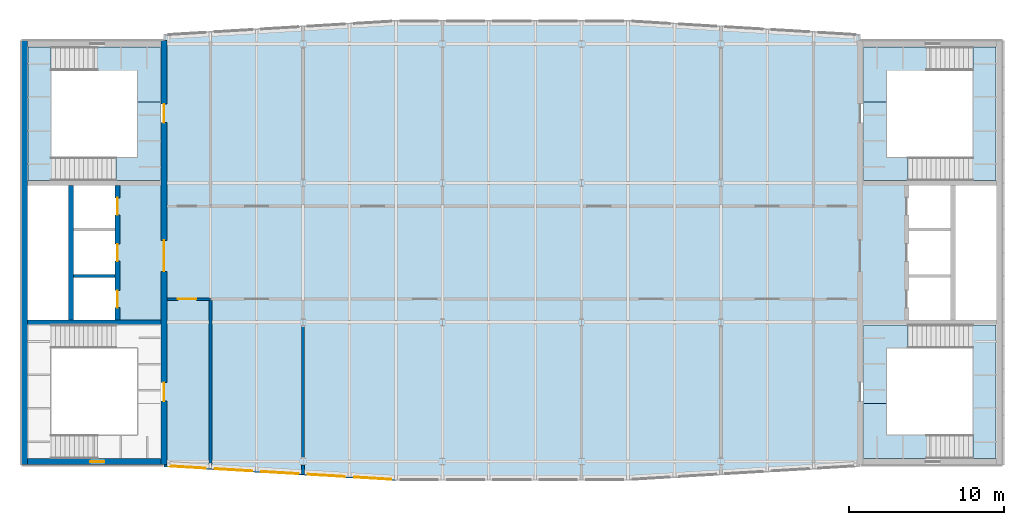
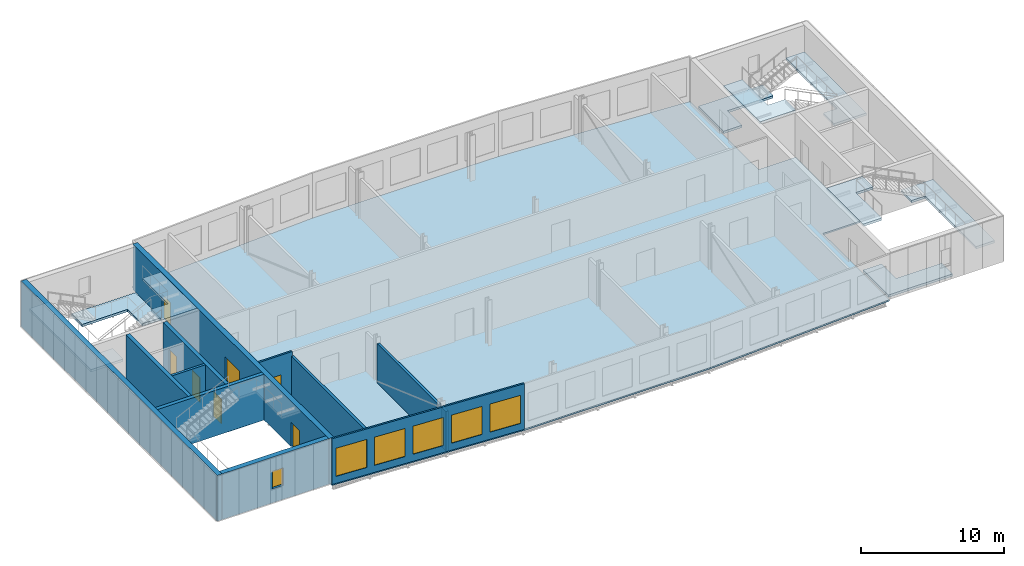
# One storey, part 3 of 9: 12 walls, 10 slabs, 7 doors, 6 windows, 13 openings, 3 elements without a shape of their own.
"""IFC4 building model written with IfcOpenShell, lengths in metres."""

from ifc_helpers import new_model, si_unit, direction, frame, frame_2d, origin, place, context, subcontext, project, spatial, polyline, rectangle, outline, extrude, material, layer, layer_set, type_object, element, fill, aggregate, save


model = new_model("IFC4")

# Units and contexts
model_context = context("Model", 3, precision=1e-05, world=origin(), true_north=direction((0.0, 1.0)))
body_context = subcontext(model_context, "Body", "Model", "MODEL_VIEW")
ifc_project = project(units=[si_unit("LENGTHUNIT", "METRE"), si_unit("AREAUNIT", "SQUARE_METRE"), si_unit("VOLUMEUNIT", "CUBIC_METRE"), si_unit("PLANEANGLEUNIT", "RADIAN"), si_unit("MASSUNIT", "GRAM", prefix="KILO")], contexts=[model_context])

# Site, building, storey
site_placement = place(None, origin())
site = spatial("IfcSite", under=ifc_project, at=site_placement, CompositionType="ELEMENT")
building_placement = place(site_placement, origin())
building = spatial("IfcBuilding", under=site, at=building_placement, Name="Azimuth Sports and Learning Centre", CompositionType="ELEMENT")
storey_placement = place(building_placement, frame((0.0, 0.0, 51.89990234375)))
storey = spatial("IfcBuildingStorey", under=building, at=storey_placement, Name="L11", CompositionType="ELEMENT", Elevation=51.89990234375)

# Slab
ifc_material_1 = material(Name="Concrete C30/37", Category="concrete")
ifc_layer_1 = layer(ifc_material_1, 0.1298828125)
ifc_layer_set_1 = layer_set([ifc_layer_1], Name="Concrete C30/37")
slab_type_1 = type_object("IfcSlabType", Name="Composite floor slab 130", PredefinedType="FLOOR", material=ifc_layer_set_1)
slab_1_placement = place(storey_placement, frame((0.0, 0.0, -0.1298828125)))
element("IfcSlab", 1, at=slab_1_placement, inside=storey, type_object=slab_type_1, Name="Slab TOWER L11", PredefinedType="FLOOR", context=body_context, shape_type="SweptSolid", body=[
    extrude(outline(polyline([(78.0, 88.800048828125), (93.0, 88.800048828125), (108.0, 89.699951171875), (108.0, 99.0), (111.0, 99.0), (111.0, 108.0), (108.0, 108.0), (108.0, 117.60009765625), (93.0, 118.5), (78.0, 118.5), (63.0, 117.60009765625), (63.0, 108.0), (60.0, 108.0), (60.0, 99.0), (63.0, 99.0), (63.0, 89.699951171875), (78.0, 88.800048828125)])), origin(), (0.0, 0.0, 1.0), 0.1298828125),
])

# Stair, slabs
ifc_material_2 = material(Name="Concrete C32/40", Category="concrete")
stair_type = type_object("IfcStairType", Name="Square-well stair core 3900 storey", PredefinedType="THREE_QUARTER_TURN_STAIR", material=ifc_material_2)
stair_1_placement = place(storey_placement, origin())
stair_1 = element("IfcStair", 2, at=stair_1_placement, inside=storey, type_object=stair_type, Name="Stair W2 L11-L12", PredefinedType="THREE_QUARTER_TURN_STAIR")
ifc_material_3 = material(Name="Concrete C32/40", Category="concrete")
ifc_layer_2 = layer(ifc_material_3, 0.199951171875)
ifc_layer_set_2 = layer_set([ifc_layer_2], Name="Concrete C32/40")
slab_type_2 = type_object("IfcSlabType", Name="Concrete stair landing", PredefinedType="LANDING", material=ifc_layer_set_2)
slab_2_placement = place(storey_placement, frame((0.0, 0.0, -0.199951171875)))
slab_2 = element("IfcSlab", 3, at=slab_2_placement, type_object=slab_type_2, Name="Stair W2 L11 landing 1", PredefinedType="LANDING", context=body_context, shape_type="SweptSolid", body=[
    extrude(outline(polyline([(57.610107421875, 115.2900390625), (61.2900390625, 115.2900390625), (61.2900390625, 113.25), (62.7900390625, 113.25), (62.7900390625, 116.7900390625), (57.610107421875, 116.7900390625), (57.610107421875, 115.2900390625)])), origin(), (0.0, 0.0, 1.0), 0.199951171875),
])
slab_3_placement = place(storey_placement, frame((0.0, 0.0, 1.4501953125)))
slab_3 = element("IfcSlab", 4, at=slab_3_placement, type_object=slab_type_2, Name="Stair W2 L11 landing 2", PredefinedType="LANDING", context=body_context, shape_type="SweptSolid", body=[
    extrude(outline(polyline([(55.7099609375, 115.2900390625), (55.710693359375, 115.2900390625), (55.710693359375, 116.7900390625), (54.2099609375, 116.7900390625), (54.2099609375, 108.159912109375), (56.81005859375, 108.159912109375), (56.81005859375, 109.659912109375), (55.7099609375, 109.659912109375), (55.7099609375, 115.2900390625)])), origin(), (0.0, 0.0, 1.0), 0.199951171875),
])
slab_4_placement = place(storey_placement, frame((0.0, 0.0, 3.7001953125)))
slab_4 = element("IfcSlab", 5, at=slab_4_placement, type_object=slab_type_2, Name="Stair W2 L11 landing 3", PredefinedType="LANDING", context=body_context, shape_type="SweptSolid", body=[
    extrude(outline(polyline([(61.2900390625, 109.659912109375), (59.9091796875, 109.659912109375), (59.9091796875, 108.159912109375), (62.7900390625, 108.159912109375), (62.7900390625, 113.25), (61.2900390625, 113.25), (61.2900390625, 109.659912109375)])), origin(), (0.0, 0.0, 1.0), 0.199951171875),
])
aggregate(stair_1, [slab_2, slab_3, slab_4])

stair_2_placement = place(storey_placement, origin())
stair_2 = element("IfcStair", 6, at=stair_2_placement, inside=storey, type_object=stair_type, Name="Stair E1 L11-L12", PredefinedType="THREE_QUARTER_TURN_STAIR")
slab_5_placement = place(storey_placement, frame((0.0, 0.0, -0.199951171875)))
slab_5 = element("IfcSlab", 7, at=slab_5_placement, type_object=slab_type_2, Name="Stair E1 L11 landing 1", PredefinedType="LANDING", context=body_context, shape_type="SweptSolid", body=[
    extrude(outline(polyline([(113.389892578125, 91.7099609375), (109.7099609375, 91.7099609375), (109.7099609375, 93.75), (108.2099609375, 93.75), (108.2099609375, 90.2099609375), (113.389892578125, 90.2099609375), (113.389892578125, 91.7099609375)])), origin(), (0.0, 0.0, 1.0), 0.199951171875),
])
slab_6_placement = place(storey_placement, frame((0.0, 0.0, 1.4501953125)))
slab_6 = element("IfcSlab", 8, at=slab_6_placement, type_object=slab_type_2, Name="Stair E1 L11 landing 2", PredefinedType="LANDING", context=body_context, shape_type="SweptSolid", body=[
    extrude(outline(polyline([(115.2900390625, 91.7099609375), (115.289306640625, 91.7099609375), (115.289306640625, 90.2099609375), (116.7900390625, 90.2099609375), (116.7900390625, 98.840087890625), (114.18994140625, 98.840087890625), (114.18994140625, 97.340087890625), (115.2900390625, 97.340087890625), (115.2900390625, 91.7099609375)])), origin(), (0.0, 0.0, 1.0), 0.199951171875),
])
slab_7_placement = place(storey_placement, frame((0.0, 0.0, 3.7001953125)))
slab_7 = element("IfcSlab", 9, at=slab_7_placement, type_object=slab_type_2, Name="Stair E1 L11 landing 3", PredefinedType="LANDING", context=body_context, shape_type="SweptSolid", body=[
    extrude(outline(polyline([(109.7099609375, 97.340087890625), (111.0908203125, 97.340087890625), (111.0908203125, 98.840087890625), (108.2099609375, 98.840087890625), (108.2099609375, 93.75), (109.7099609375, 93.75), (109.7099609375, 97.340087890625)])), origin(), (0.0, 0.0, 1.0), 0.199951171875),
])
aggregate(stair_2, [slab_5, slab_6, slab_7])

stair_3_placement = place(storey_placement, origin())
stair_3 = element("IfcStair", 10, at=stair_3_placement, inside=storey, type_object=stair_type, Name="Stair E2 L11-L12", PredefinedType="THREE_QUARTER_TURN_STAIR")
slab_8_placement = place(storey_placement, frame((0.0, 0.0, -0.199951171875)))
slab_8 = element("IfcSlab", 11, at=slab_8_placement, type_object=slab_type_2, Name="Stair E2 L11 landing 1", PredefinedType="LANDING", context=body_context, shape_type="SweptSolid", body=[
    extrude(outline(polyline([(108.2099609375, 116.7900390625), (108.2099609375, 113.25), (109.7099609375, 113.25), (109.7099609375, 115.2900390625), (113.389892578125, 115.2900390625), (113.389892578125, 116.7900390625), (108.2099609375, 116.7900390625)])), origin(), (0.0, 0.0, 1.0), 0.199951171875),
])
slab_9_placement = place(storey_placement, frame((0.0, 0.0, 1.4501953125)))
slab_9 = element("IfcSlab", 12, at=slab_9_placement, type_object=slab_type_2, Name="Stair E2 L11 landing 2", PredefinedType="LANDING", context=body_context, shape_type="SweptSolid", body=[
    extrude(outline(polyline([(115.2900390625, 115.2900390625), (115.2900390625, 109.659912109375), (114.18994140625, 109.659912109375), (114.18994140625, 108.159912109375), (116.7900390625, 108.159912109375), (116.7900390625, 116.7900390625), (115.289306640625, 116.7900390625), (115.289306640625, 115.2900390625), (115.2900390625, 115.2900390625)])), origin(), (0.0, 0.0, 1.0), 0.199951171875),
])
slab_10_placement = place(storey_placement, frame((0.0, 0.0, 3.7001953125)))
slab_10 = element("IfcSlab", 13, at=slab_10_placement, type_object=slab_type_2, Name="Stair E2 L11 landing 3", PredefinedType="LANDING", context=body_context, shape_type="SweptSolid", body=[
    extrude(outline(polyline([(109.7099609375, 109.659912109375), (109.7099609375, 113.25), (108.2099609375, 113.25), (108.2099609375, 108.159912109375), (111.0908203125, 108.159912109375), (111.0908203125, 109.659912109375), (109.7099609375, 109.659912109375)])), origin(), (0.0, 0.0, 1.0), 0.199951171875),
])
aggregate(stair_3, [slab_8, slab_9, slab_10])

# Wall
ifc_material_4 = material(Name="Dense masonry blockwork", Category="masonry")
ifc_layer_3 = layer(ifc_material_4, 0.199951171875)
ifc_layer_set_3 = layer_set([ifc_layer_3], Name="Dense masonry blockwork")
wall_type_1 = type_object("IfcWallType", Name="Blockwork wall 200 EI 120", PredefinedType="SOLIDWALL", material=ifc_layer_set_3)
wall_1_placement = place(storey_placement, frame((57.14990234375, 102.0, 0.0), z_axis=(0.0, 0.0, 1.0), x_axis=(1.0, 0.0, 0.0)))
element("IfcWall", 14, at=wall_1_placement, inside=storey, type_object=wall_type_1, Name="SD-W-1-L11", PredefinedType="SOLIDWALL", context=body_context, shape_type="SweptSolid", body=[
    extrude(rectangle(XDim=2.7001953125, YDim=0.199951171875, at=frame_2d((1.35009765625, 0.0))), origin(), (0.0, 0.0, 1.0), 3.900146484375),
])

# Wall, opening, door
ifc_material_5 = material(Name="Lightweight blockwork, rendered", Category="masonry")
ifc_layer_4 = layer(ifc_material_5, 0.14990234375)
ifc_layer_set_4 = layer_set([ifc_layer_4], Name="Lightweight blockwork, rendered")
wall_type_2 = type_object("IfcWallType", Name="Partition 150 EI 60", PredefinedType="PARTITIONING", material=ifc_layer_set_4)
wall_2_placement = place(storey_placement, frame((63.199951171875, 100.5, 0.0), z_axis=(0.0, 0.0, 1.0), x_axis=(1.0, 0.0, 0.0)))
wall_2 = element("IfcWall", 15, at=wall_2_placement, inside=storey, type_object=wall_type_2, Name="Partition Stair Lobby W1 11.01 / Plant Corridor", PredefinedType="PARTITIONING", context=body_context, shape_type="SweptSolid", body=[
    extrude(rectangle(XDim=2.800048828125, YDim=0.14990234375, at=frame_2d((1.39990234375, 0.0))), origin(), (0.0, 0.0, 1.0), 3.77001953125),
])
opening_1_placement = place(wall_2_placement, frame((0.699951171875, 0.0, 0.0)))
opening_1 = element("IfcOpeningElement", 16, at=opening_1_placement, cuts=wall_2, Name="Opening D11-011", PredefinedType="OPENING", context=body_context, shape_type="SweptSolid", body=[
    extrude(rectangle(XDim=1.199951171875, YDim=2.10009765625, at=frame_2d((0.60009765625, 1.050048828125))), frame((0.0, 0.0859375, 0.0), z_axis=(0.0, -1.0, 0.0), x_axis=(1.0, 0.0, 0.0)), (0.0, 0.0, 1.0), 0.171875),
])
ifc_material_6 = material(Name="Painted steel door set", Category="steel")
door_type_1 = type_object("IfcDoorType", Name="Fire door FD60 1200 x 2100", OperationType="NOTDEFINED", PredefinedType="DOOR", material=ifc_material_6)
door_1_placement = place(opening_1_placement, frame((1.199951171875, 0.0, 0.0), z_axis=(0.0, 0.0, 1.0), x_axis=(-1.0, 0.0, 0.0)))
door_1 = element("IfcDoor", 17, at=door_1_placement, inside=storey, type_object=door_type_1, Name="Door Stair Lobby W1 11.01 / Plant Corridor", OperationType="SINGLE_SWING_RIGHT", OverallHeight=2.10009765625, OverallWidth=1.199951171875, PredefinedType="DOOR", context=body_context, shape_type="SweptSolid", body=[
    extrude(rectangle(XDim=1.199951171875, YDim=2.10009765625, at=frame_2d((0.60009765625, 1.050048828125))), frame((0.0, 0.02490234375, 0.0), z_axis=(0.0, -1.0, 0.0), x_axis=(1.0, 0.0, 0.0)), (0.0, 0.0, 1.0), 0.050048828125),
])
fill(opening_1, door_1)

# Walls
ifc_material_7 = material(Name="Lightweight blockwork, rendered", Category="masonry")
ifc_layer_5 = layer(ifc_material_7, 0.199951171875)
ifc_layer_set_5 = layer_set([ifc_layer_5], Name="Lightweight blockwork, rendered")
wall_type_3 = type_object("IfcWallType", Name="Partition 200 EI 120", PredefinedType="PARTITIONING", material=ifc_layer_set_5)
wall_3_placement = place(storey_placement, frame((66.0, 89.52001953125, 0.0), z_axis=(0.0, 0.0, 1.0), x_axis=(0.0, 1.0, 0.0)))
element("IfcWall", 18, at=wall_3_placement, inside=storey, type_object=wall_type_3, Name="Partition Stair Lobby W1 11.01 / Electrical Switch Room 11.07", PredefinedType="PARTITIONING", context=body_context, shape_type="SweptSolid", body=[
    extrude(rectangle(XDim=10.8798828125, YDim=0.199951171875, at=frame_2d((5.43994140625, 0.0))), origin(), (0.0, 0.0, 1.0), 3.41015625),
])
wall_4_placement = place(storey_placement, frame((72.0, 89.159912109375, 0.0), z_axis=(0.0, 0.0, 1.0), x_axis=(0.0, 1.0, 0.0)))
element("IfcWall", 19, at=wall_4_placement, inside=storey, type_object=wall_type_3, Name="Partition Electrical Switch Room 11.07 / Air Handling Plant Room 11.08", PredefinedType="PARTITIONING", context=body_context, shape_type="SweptSolid", body=[
    extrude(rectangle(XDim=0.612548828125, YDim=0.199951171875, at=frame_2d((0.30615234375, 0.0))), origin(), (0.0, 0.0, 1.0), 3.41015625),
])
wall_5_placement = place(storey_placement, frame((72.0, 90.2275390625, 0.0), z_axis=(0.0, 0.0, 1.0), x_axis=(0.0, 1.0, 0.0)))
element("IfcWall", 20, at=wall_5_placement, inside=storey, type_object=wall_type_3, Name="Partition Electrical Switch Room 11.07 / Air Handling Plant Room 11.08", PredefinedType="PARTITIONING", context=body_context, shape_type="SweptSolid", body=[
    extrude(rectangle(XDim=8.556396484375, YDim=0.199951171875, at=frame_2d((4.2783203125, 0.0))), origin(), (0.0, 0.0, 1.0), 3.3701171875),
])

# Wall, openings, windows
ifc_material_8 = material(Name="Aluminium rainscreen cladding, mineral wool insulation, steel stud backing, plasterboard", Category="steel")
ifc_layer_6 = layer(ifc_material_8, 0.139892578125)
ifc_layer_set_6 = layer_set([ifc_layer_6], Name="Aluminium rainscreen cladding, mineral wool insulation, steel stud backing, plasterboard")
wall_type_4 = type_object("IfcWallType", Name="Plant band wall 140", PredefinedType="SOLIDWALL", material=ifc_layer_set_6)
wall_6_placement = place(storey_placement, frame((63.001708984375, 89.72998046875, 0.0), z_axis=(0.0, 0.0, 1.0), x_axis=(0.998204262631, -0.059902003846, 0.0)))
wall_6 = element("IfcWall", 21, at=wall_6_placement, inside=storey, type_object=wall_type_4, Name="Plant band wall S-TOWER-1 L11", PredefinedType="SOLIDWALL", context=body_context, shape_type="SweptSolid", body=[
    extrude(rectangle(XDim=15.027099609375, YDim=0.139892578125, at=frame_2d((7.513671875, 0.0))), origin(), (0.0, 0.0, 1.0), 3.900146484375),
])
opening_2_placement = place(wall_6_placement, frame((0.302734375, 0.0, 0.60009765625)))
opening_2 = element("IfcOpeningElement", 22, at=opening_2_placement, cuts=wall_6, Name="Opening W11-002", PredefinedType="OPENING", context=body_context, shape_type="SweptSolid", body=[
    extrude(rectangle(XDim=2.39990234375, YDim=2.39990234375, at=frame_2d((1.199951171875, 1.199951171875))), frame((0.0, 0.0810546875, 0.0), z_axis=(0.0, -1.0, 0.0), x_axis=(1.0, 0.0, 0.0)), (0.0, 0.0, 1.0), 0.161865234375),
])
opening_3_placement = place(wall_6_placement, frame((3.30810546875, 0.0, 0.60009765625)))
opening_3 = element("IfcOpeningElement", 23, at=opening_3_placement, cuts=wall_6, Name="Opening W11-003", PredefinedType="OPENING", context=body_context, shape_type="SweptSolid", body=[
    extrude(rectangle(XDim=2.39990234375, YDim=2.39990234375, at=frame_2d((1.199951171875, 1.199951171875))), frame((0.0, 0.0810546875, 0.0), z_axis=(0.0, -1.0, 0.0), x_axis=(1.0, 0.0, 0.0)), (0.0, 0.0, 1.0), 0.161865234375),
])
opening_4_placement = place(wall_6_placement, frame((6.3134765625, 0.0, 0.60009765625)))
opening_4 = element("IfcOpeningElement", 24, at=opening_4_placement, cuts=wall_6, Name="Opening W11-004", PredefinedType="OPENING", context=body_context, shape_type="SweptSolid", body=[
    extrude(rectangle(XDim=2.39990234375, YDim=2.39990234375, at=frame_2d((1.199951171875, 1.199951171875))), frame((0.0, 0.0810546875, 0.0), z_axis=(0.0, -1.0, 0.0), x_axis=(1.0, 0.0, 0.0)), (0.0, 0.0, 1.0), 0.161865234375),
])
opening_5_placement = place(wall_6_placement, frame((9.31884765625, 0.0, 0.60009765625)))
opening_5 = element("IfcOpeningElement", 25, at=opening_5_placement, cuts=wall_6, Name="Opening W11-005", PredefinedType="OPENING", context=body_context, shape_type="SweptSolid", body=[
    extrude(rectangle(XDim=2.39990234375, YDim=2.39990234375, at=frame_2d((1.199951171875, 1.199951171875))), frame((0.0, 0.0810546875, 0.0), z_axis=(0.0, -1.0, 0.0), x_axis=(1.0, 0.0, 0.0)), (0.0, 0.0, 1.0), 0.161865234375),
])
opening_6_placement = place(wall_6_placement, frame((12.32421875, 0.0, 0.60009765625)))
opening_6 = element("IfcOpeningElement", 26, at=opening_6_placement, cuts=wall_6, Name="Opening W11-006", PredefinedType="OPENING", context=body_context, shape_type="SweptSolid", body=[
    extrude(rectangle(XDim=2.39990234375, YDim=2.39990234375, at=frame_2d((1.199951171875, 1.199951171875))), frame((0.0, 0.0810546875, 0.0), z_axis=(0.0, -1.0, 0.0), x_axis=(1.0, 0.0, 0.0)), (0.0, 0.0, 1.0), 0.161865234375),
])
ifc_material_9 = material(Name="Aluminium and glass", Category="aluminium")
window_type_1 = type_object("IfcWindowType", Name="Plant band louvre window 2400x2400", PartitioningType="SINGLE_PANEL", PredefinedType="WINDOW", material=ifc_material_9)
window_1_placement = place(opening_2_placement, origin())
window_1 = element("IfcWindow", 27, at=window_1_placement, inside=storey, type_object=window_type_1, Name="Window W11-002", OverallHeight=2.39990234375, OverallWidth=2.39990234375, PartitioningType="SINGLE_PANEL", PredefinedType="WINDOW", context=body_context, shape_type="SweptSolid", body=[
    extrude(rectangle(XDim=2.39990234375, YDim=2.39990234375, at=frame_2d((1.199951171875, 1.199951171875))), frame((0.0, 0.030029296875, 0.0), z_axis=(0.0, -1.0, 0.0), x_axis=(1.0, 0.0, 0.0)), (0.0, 0.0, 1.0), 0.06005859375),
])
fill(opening_2, window_1)
window_2_placement = place(opening_3_placement, origin())
window_2 = element("IfcWindow", 28, at=window_2_placement, inside=storey, type_object=window_type_1, Name="Window W11-003", OverallHeight=2.39990234375, OverallWidth=2.39990234375, PartitioningType="SINGLE_PANEL", PredefinedType="WINDOW", context=body_context, shape_type="SweptSolid", body=[
    extrude(rectangle(XDim=2.39990234375, YDim=2.39990234375, at=frame_2d((1.199951171875, 1.199951171875))), frame((0.0, 0.030029296875, 0.0), z_axis=(0.0, -1.0, 0.0), x_axis=(1.0, 0.0, 0.0)), (0.0, 0.0, 1.0), 0.06005859375),
])
fill(opening_3, window_2)
window_3_placement = place(opening_4_placement, origin())
window_3 = element("IfcWindow", 29, at=window_3_placement, inside=storey, type_object=window_type_1, Name="Window W11-004", OverallHeight=2.39990234375, OverallWidth=2.39990234375, PartitioningType="SINGLE_PANEL", PredefinedType="WINDOW", context=body_context, shape_type="SweptSolid", body=[
    extrude(rectangle(XDim=2.39990234375, YDim=2.39990234375, at=frame_2d((1.199951171875, 1.199951171875))), frame((0.0, 0.030029296875, 0.0), z_axis=(0.0, -1.0, 0.0), x_axis=(1.0, 0.0, 0.0)), (0.0, 0.0, 1.0), 0.06005859375),
])
fill(opening_4, window_3)
window_4_placement = place(opening_5_placement, origin())
window_4 = element("IfcWindow", 30, at=window_4_placement, inside=storey, type_object=window_type_1, Name="Window W11-005", OverallHeight=2.39990234375, OverallWidth=2.39990234375, PartitioningType="SINGLE_PANEL", PredefinedType="WINDOW", context=body_context, shape_type="SweptSolid", body=[
    extrude(rectangle(XDim=2.39990234375, YDim=2.39990234375, at=frame_2d((1.199951171875, 1.199951171875))), frame((0.0, 0.030029296875, 0.0), z_axis=(0.0, -1.0, 0.0), x_axis=(1.0, 0.0, 0.0)), (0.0, 0.0, 1.0), 0.06005859375),
])
fill(opening_5, window_4)
window_5_placement = place(opening_6_placement, origin())
window_5 = element("IfcWindow", 31, at=window_5_placement, inside=storey, type_object=window_type_1, Name="Window W11-006", OverallHeight=2.39990234375, OverallWidth=2.39990234375, PartitioningType="SINGLE_PANEL", PredefinedType="WINDOW", context=body_context, shape_type="SweptSolid", body=[
    extrude(rectangle(XDim=2.39990234375, YDim=2.39990234375, at=frame_2d((1.199951171875, 1.199951171875))), frame((0.0, 0.030029296875, 0.0), z_axis=(0.0, -1.0, 0.0), x_axis=(1.0, 0.0, 0.0)), (0.0, 0.0, 1.0), 0.06005859375),
])
fill(opening_6, window_5)

# Walls
ifc_material_10 = material(Name="Concrete C40/50", Category="concrete")
ifc_layer_7 = layer(ifc_material_10, 0.300048828125)
ifc_layer_set_7 = layer_set([ifc_layer_7], Name="Concrete C40/50")
wall_type_5 = type_object("IfcWallType", Name="RC core wall 300", PredefinedType="SHEAR", material=ifc_layer_set_7)
wall_7_placement = place(storey_placement, frame((54.199951171875, 99.0, 0.0), z_axis=(0.0, 0.0, 1.0), x_axis=(1.0, 0.0, 0.0)))
element("IfcWall", 32, at=wall_7_placement, inside=storey, type_object=wall_type_5, Name="Core wall W D1 L11", PredefinedType="SHEAR", context=body_context, shape_type="SweptSolid", body=[
    extrude(rectangle(XDim=8.60009765625, YDim=0.300048828125, at=frame_2d((4.300048828125, 0.0))), origin(), (0.0, 0.0, 1.0), 3.900146484375),
])
wall_8_placement = place(storey_placement, frame((57.0, 99.14990234375, 0.0), z_axis=(0.0, 0.0, 1.0), x_axis=(0.0, 1.0, 0.0)))
element("IfcWall", 33, at=wall_8_placement, inside=storey, type_object=wall_type_5, Name="Core wall W LB1 L11", PredefinedType="SHEAR", context=body_context, shape_type="SweptSolid", body=[
    extrude(rectangle(XDim=8.7001953125, YDim=0.300048828125, at=frame_2d((4.35009765625, 0.0))), origin(), (0.0, 0.0, 1.0), 3.900146484375),
])

# Wall, openings, doors
wall_9_placement = place(storey_placement, frame((60.0, 99.14990234375, 0.0), z_axis=(0.0, 0.0, 1.0), x_axis=(0.0, 1.0, 0.0)))
wall_9 = element("IfcWall", 34, at=wall_9_placement, inside=storey, type_object=wall_type_5, Name="Core wall W LB2 L11", PredefinedType="SHEAR", context=body_context, shape_type="SweptSolid", body=[
    extrude(rectangle(XDim=8.7001953125, YDim=0.300048828125, at=frame_2d((4.35009765625, 0.0))), origin(), (0.0, 0.0, 1.0), 3.900146484375),
])
opening_7_placement = place(wall_9_placement, frame((0.800048828125, 0.0, 0.0)))
opening_7 = element("IfcOpeningElement", 35, at=opening_7_placement, cuts=wall_9, Name="Opening D11-005", PredefinedType="OPENING", context=body_context, shape_type="SweptSolid", body=[
    extrude(rectangle(XDim=1.10009765625, YDim=2.10009765625, at=frame_2d((0.550048828125, 1.050048828125))), frame((0.0, 0.1611328125, 0.0), z_axis=(0.0, -1.0, 0.0), x_axis=(1.0, 0.0, 0.0)), (0.0, 0.0, 1.0), 0.322021484375),
])
opening_8_placement = place(wall_9_placement, frame((3.800048828125, 0.0, 0.0)))
opening_8 = element("IfcOpeningElement", 36, at=opening_8_placement, cuts=wall_9, Name="Opening D11-006", PredefinedType="OPENING", context=body_context, shape_type="SweptSolid", body=[
    extrude(rectangle(XDim=1.10009765625, YDim=2.10009765625, at=frame_2d((0.550048828125, 1.050048828125))), frame((0.0, 0.1611328125, 0.0), z_axis=(0.0, -1.0, 0.0), x_axis=(1.0, 0.0, 0.0)), (0.0, 0.0, 1.0), 0.322021484375),
])
opening_9_placement = place(wall_9_placement, frame((6.800048828125, 0.0, 0.0)))
opening_9 = element("IfcOpeningElement", 37, at=opening_9_placement, cuts=wall_9, Name="Opening D11-007", PredefinedType="OPENING", context=body_context, shape_type="SweptSolid", body=[
    extrude(rectangle(XDim=1.10009765625, YDim=2.10009765625, at=frame_2d((0.550048828125, 1.050048828125))), frame((0.0, 0.1611328125, 0.0), z_axis=(0.0, -1.0, 0.0), x_axis=(1.0, 0.0, 0.0)), (0.0, 0.0, 1.0), 0.322021484375),
])
ifc_material_11 = material(Name="Stainless steel", Category="steel")
door_type_2 = type_object("IfcDoorType", Name="Lift landing door 1100 x 2100", OperationType="DOUBLE_DOOR_SLIDING", PredefinedType="DOOR", material=ifc_material_11)
door_2_placement = place(opening_7_placement, origin())
door_2 = element("IfcDoor", 38, at=door_2_placement, inside=storey, type_object=door_type_2, Name="Landing door LW1 L11", OperationType="DOUBLE_DOOR_SLIDING", OverallHeight=2.10009765625, OverallWidth=1.10009765625, PredefinedType="DOOR", context=body_context, shape_type="SweptSolid", body=[
    extrude(rectangle(XDim=1.10009765625, YDim=2.10009765625, at=frame_2d((0.550048828125, 1.050048828125))), frame((0.0, 0.02490234375, 0.0), z_axis=(0.0, -1.0, 0.0), x_axis=(1.0, 0.0, 0.0)), (0.0, 0.0, 1.0), 0.050048828125),
])
fill(opening_7, door_2)
door_3_placement = place(opening_8_placement, origin())
door_3 = element("IfcDoor", 39, at=door_3_placement, inside=storey, type_object=door_type_2, Name="Landing door LW2 L11", OperationType="DOUBLE_DOOR_SLIDING", OverallHeight=2.10009765625, OverallWidth=1.10009765625, PredefinedType="DOOR", context=body_context, shape_type="SweptSolid", body=[
    extrude(rectangle(XDim=1.10009765625, YDim=2.10009765625, at=frame_2d((0.550048828125, 1.050048828125))), frame((0.0, 0.02490234375, 0.0), z_axis=(0.0, -1.0, 0.0), x_axis=(1.0, 0.0, 0.0)), (0.0, 0.0, 1.0), 0.050048828125),
])
fill(opening_8, door_3)
door_4_placement = place(opening_9_placement, origin())
door_4 = element("IfcDoor", 40, at=door_4_placement, inside=storey, type_object=door_type_2, Name="Landing door LW3 L11", OperationType="DOUBLE_DOOR_SLIDING", OverallHeight=2.10009765625, OverallWidth=1.10009765625, PredefinedType="DOOR", context=body_context, shape_type="SweptSolid", body=[
    extrude(rectangle(XDim=1.10009765625, YDim=2.10009765625, at=frame_2d((0.550048828125, 1.050048828125))), frame((0.0, 0.02490234375, 0.0), z_axis=(0.0, -1.0, 0.0), x_axis=(1.0, 0.0, 0.0)), (0.0, 0.0, 1.0), 0.050048828125),
])
fill(opening_9, door_4)

ifc_material_12 = material(Name="Concrete C40/50", Category="concrete")
ifc_layer_8 = layer(ifc_material_12, 0.39990234375)
ifc_layer_set_8 = layer_set([ifc_layer_8], Name="Concrete C40/50")
wall_type_6 = type_object("IfcWallType", Name="RC core wall 400", PredefinedType="SHEAR", material=ifc_layer_set_8)
wall_10_placement = place(storey_placement, frame((63.0, 89.800048828125, 0.0), z_axis=(0.0, 0.0, 1.0), x_axis=(0.0, 1.0, 0.0)))
wall_10 = element("IfcWall", 41, at=wall_10_placement, inside=storey, type_object=wall_type_6, Name="Core wall W E L11", PredefinedType="SHEAR", context=body_context, shape_type="SweptSolid", body=[
    extrude(rectangle(XDim=27.39990234375, YDim=0.39990234375, at=frame_2d((13.699951171875, 0.0))), origin(), (0.0, 0.0, 1.0), 3.900146484375),
])
opening_10_placement = place(wall_10_placement, frame((4.10009765625, 0.0, 0.0)))
opening_10 = element("IfcOpeningElement", 42, at=opening_10_placement, cuts=wall_10, Name="Opening D11-001", PredefinedType="OPENING", context=body_context, shape_type="SweptSolid", body=[
    extrude(rectangle(XDim=1.199951171875, YDim=2.10009765625, at=frame_2d((0.60009765625, 1.050048828125))), frame((0.0, 0.2109375, 0.0), z_axis=(0.0, -1.0, 0.0), x_axis=(1.0, 0.0, 0.0)), (0.0, 0.0, 1.0), 0.421875),
])
opening_11_placement = place(wall_10_placement, frame((22.10009765625, 0.0, 0.0)))
opening_11 = element("IfcOpeningElement", 43, at=opening_11_placement, cuts=wall_10, Name="Opening D11-002", PredefinedType="OPENING", context=body_context, shape_type="SweptSolid", body=[
    extrude(rectangle(XDim=1.199951171875, YDim=2.10009765625, at=frame_2d((0.60009765625, 1.050048828125))), frame((0.0, 0.2109375, 0.0), z_axis=(0.0, -1.0, 0.0), x_axis=(1.0, 0.0, 0.0)), (0.0, 0.0, 1.0), 0.421875),
])
opening_12_placement = place(wall_10_placement, frame((12.5, 0.0, 0.0)))
opening_12 = element("IfcOpeningElement", 44, at=opening_12_placement, cuts=wall_10, Name="Opening D11-023", PredefinedType="OPENING", context=body_context, shape_type="SweptSolid", body=[
    extrude(rectangle(XDim=2.0, YDim=2.10009765625, at=frame_2d((1.0, 1.050048828125))), frame((0.0, 0.2109375, 0.0), z_axis=(0.0, -1.0, 0.0), x_axis=(1.0, 0.0, 0.0)), (0.0, 0.0, 1.0), 0.421875),
])
ifc_material_13 = material(Name="Painted steel door set", Category="steel")
door_type_3 = type_object("IfcDoorType", Name="Fire door FD120 2000 x 2100 double leaf", OperationType="DOUBLE_DOOR_SINGLE_SWING", PredefinedType="DOOR", material=ifc_material_13)
door_5_placement = place(opening_12_placement, origin())
door_5 = element("IfcDoor", 45, at=door_5_placement, inside=storey, type_object=door_type_3, Name="Door Lift Lobby W 11.05 / Plant Corridor", OperationType="DOUBLE_DOOR_SINGLE_SWING", OverallHeight=2.10009765625, OverallWidth=2.0, PredefinedType="DOOR", context=body_context, shape_type="SweptSolid", body=[
    extrude(rectangle(XDim=2.0, YDim=2.10009765625, at=frame_2d((1.0, 1.050048828125))), frame((0.0, 0.02490234375, 0.0), z_axis=(0.0, -1.0, 0.0), x_axis=(1.0, 0.0, 0.0)), (0.0, 0.0, 1.0), 0.050048828125),
])
fill(opening_12, door_5)
ifc_material_14 = material(Name="Steel", Category="steel")
door_type_4 = type_object("IfcDoorType", Name="Stair fire door 1200 x 2100", OperationType="NOTDEFINED", PredefinedType="DOOR", material=ifc_material_14)
door_6_placement = place(opening_10_placement, origin())
door_6 = element("IfcDoor", 46, at=door_6_placement, inside=storey, type_object=door_type_4, Name="Stair door W1 L11", OperationType="SINGLE_SWING_LEFT", OverallHeight=2.10009765625, OverallWidth=1.199951171875, PredefinedType="DOOR", context=body_context, shape_type="SweptSolid", body=[
    extrude(rectangle(XDim=1.199951171875, YDim=2.10009765625, at=frame_2d((0.60009765625, 1.050048828125))), frame((0.0, 0.02490234375, 0.0), z_axis=(0.0, -1.0, 0.0), x_axis=(1.0, 0.0, 0.0)), (0.0, 0.0, 1.0), 0.050048828125),
])
fill(opening_10, door_6)
door_7_placement = place(opening_11_placement, origin())
door_7 = element("IfcDoor", 47, at=door_7_placement, inside=storey, type_object=door_type_4, Name="Stair door W2 L11", OperationType="SINGLE_SWING_LEFT", OverallHeight=2.10009765625, OverallWidth=1.199951171875, PredefinedType="DOOR", context=body_context, shape_type="SweptSolid", body=[
    extrude(rectangle(XDim=1.199951171875, YDim=2.10009765625, at=frame_2d((0.60009765625, 1.050048828125))), frame((0.0, 0.02490234375, 0.0), z_axis=(0.0, -1.0, 0.0), x_axis=(1.0, 0.0, 0.0)), (0.0, 0.0, 1.0), 0.050048828125),
])
fill(opening_11, door_7)

# Wall, opening, window
ifc_material_15 = material(Name="Concrete C40/50", Category="concrete")
ifc_layer_9 = layer(ifc_material_15, 0.39990234375)
ifc_layer_set_9 = layer_set([ifc_layer_9], Name="Concrete C40/50")
wall_type_7 = type_object("IfcWallType", Name="RC external core wall 400", PredefinedType="SHEAR", material=ifc_layer_set_9)
wall_11_placement = place(storey_placement, frame((54.199951171875, 90.0, 0.0), z_axis=(0.0, 0.0, 1.0), x_axis=(1.0, 0.0, 0.0)))
wall_11 = element("IfcWall", 48, at=wall_11_placement, inside=storey, type_object=wall_type_7, Name="Core wall W S L11", PredefinedType="SHEAR", context=body_context, shape_type="SweptSolid", body=[
    extrude(rectangle(XDim=8.60009765625, YDim=0.39990234375, at=frame_2d((4.300048828125, 0.0))), origin(), (0.0, 0.0, 1.0), 3.900146484375),
])
opening_13_placement = place(wall_11_placement, frame((4.050048828125, 0.0, 1.199951171875)))
opening_13 = element("IfcOpeningElement", 49, at=opening_13_placement, cuts=wall_11, Name="Opening W11-001", PredefinedType="OPENING", context=body_context, shape_type="SweptSolid", body=[
    extrude(rectangle(XDim=0.89990234375, YDim=1.5, at=frame_2d((0.449951171875, 0.75))), frame((0.0, 0.2109375, 0.0), z_axis=(0.0, -1.0, 0.0), x_axis=(1.0, 0.0, 0.0)), (0.0, 0.0, 1.0), 0.421875),
])
ifc_material_16 = material(Name="Aluminium and glass", Category="aluminium")
window_type_2 = type_object("IfcWindowType", Name="Stair window tower core 900x1500", PartitioningType="SINGLE_PANEL", PredefinedType="WINDOW", material=ifc_material_16)
window_6_placement = place(opening_13_placement, origin())
window_6 = element("IfcWindow", 50, at=window_6_placement, inside=storey, type_object=window_type_2, Name="Window W11-001", OverallHeight=1.5, OverallWidth=0.89990234375, PartitioningType="SINGLE_PANEL", PredefinedType="WINDOW", context=body_context, shape_type="SweptSolid", body=[
    extrude(rectangle(XDim=0.89990234375, YDim=1.5, at=frame_2d((0.449951171875, 0.75))), frame((0.0, 0.030029296875, 0.0), z_axis=(0.0, -1.0, 0.0), x_axis=(1.0, 0.0, 0.0)), (0.0, 0.0, 1.0), 0.06005859375),
])
fill(opening_13, window_6)

# Wall
wall_12_placement = place(storey_placement, frame((54.0, 89.800048828125, 0.0), z_axis=(0.0, 0.0, 1.0), x_axis=(0.0, 1.0, 0.0)))
element("IfcWall", 51, at=wall_12_placement, inside=storey, type_object=wall_type_7, Name="Core wall W W L11", PredefinedType="SHEAR", context=body_context, shape_type="SweptSolid", body=[
    extrude(rectangle(XDim=27.39990234375, YDim=0.39990234375, at=frame_2d((13.699951171875, 0.0))), origin(), (0.0, 0.0, 1.0), 3.900146484375),
])

save(model, "model.ifc")
